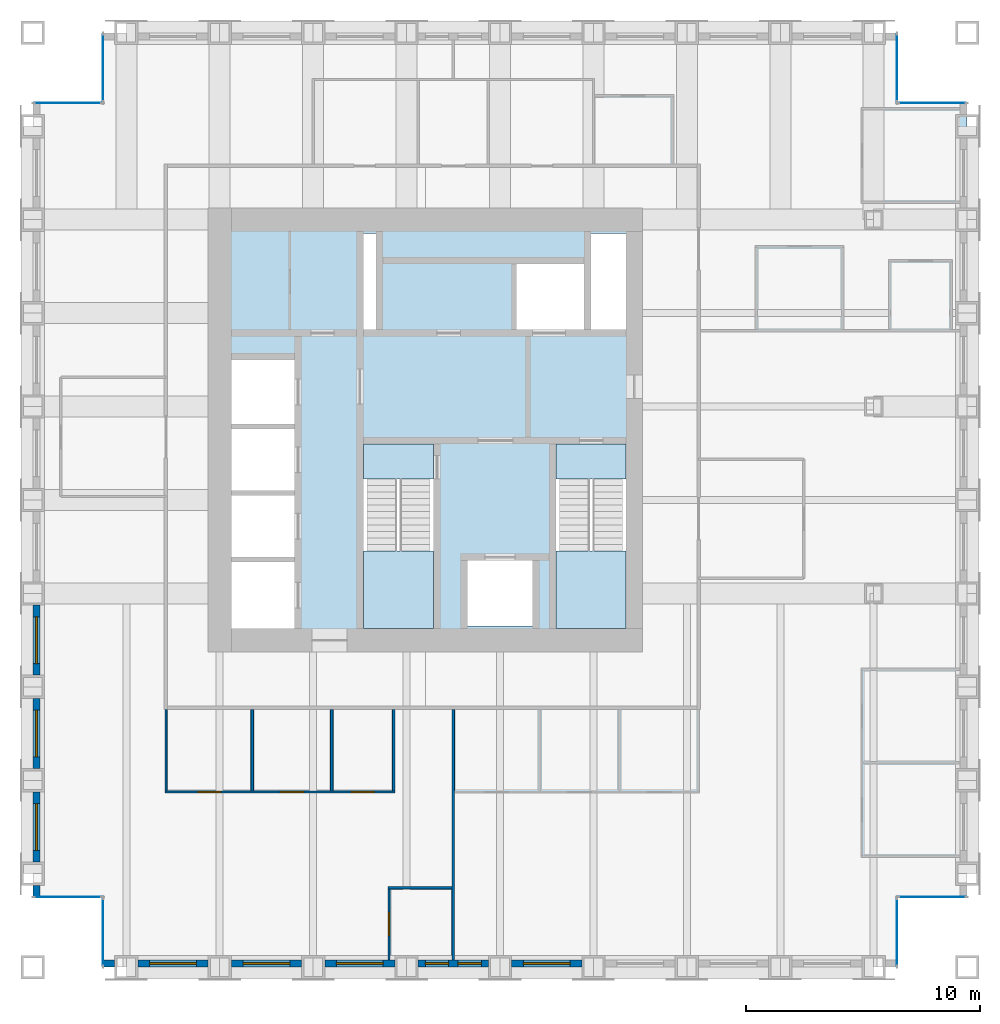
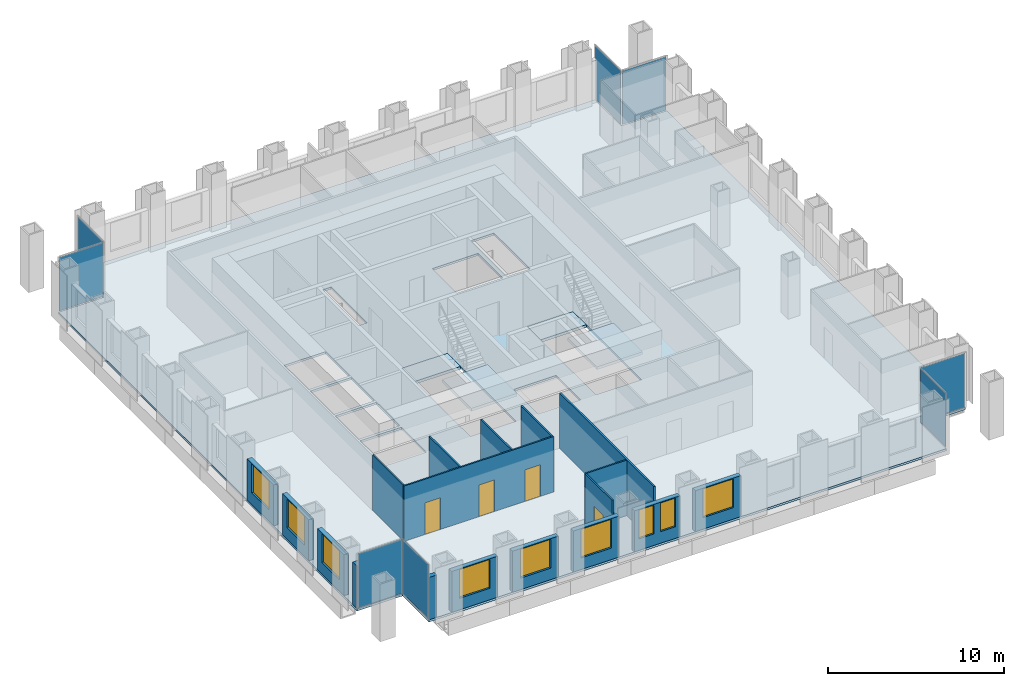
# One storey, part 7 of 13: 18 walls, 9 windows, 8 plates, 5 slabs, 4 doors, 13 openings, 10 elements without a shape of their own.
"""IFC4 building model written with IfcOpenShell, lengths in metres."""

from ifc_helpers import new_model, si_unit, direction, frame, frame_2d, origin, origin_2d, place, context, subcontext, project, spatial, polyline, rectangle, outline, extrude, material, layer, layer_set, type_object, element, fill, aggregate, save


model = new_model("IFC4")

# Units and contexts
model_context = context("Model", 3, precision=1e-05, world=origin(), true_north=direction((0.0, 1.0)))
body_context = subcontext(model_context, "Body", "Model", "MODEL_VIEW")
ifc_project = project(units=[si_unit("LENGTHUNIT", "METRE"), si_unit("AREAUNIT", "SQUARE_METRE"), si_unit("VOLUMEUNIT", "CUBIC_METRE"), si_unit("PLANEANGLEUNIT", "RADIAN"), si_unit("MASSUNIT", "GRAM", prefix="KILO")], contexts=[model_context])

# Site, building, storey
site_placement = place(None, origin())
site = spatial("IfcSite", under=ifc_project, at=site_placement, CompositionType="ELEMENT")
building_placement = place(site_placement, origin())
building = spatial("IfcBuilding", under=site, at=building_placement, Name="Rimbunsela Tower", CompositionType="ELEMENT")
storey_placement = place(building_placement, frame((0.0, 0.0, 262.199951171875)))
storey = spatial("IfcBuildingStorey", under=building, at=storey_placement, Name="L63", CompositionType="ELEMENT", Elevation=262.199951171875)

# Slab
ifc_material_1 = material(Name="Concrete fc' 35 MPa", Category="concrete")
ifc_layer_1 = layer(ifc_material_1, 0.14990234375)
ifc_layer_set_1 = layer_set([ifc_layer_1], Name="Floor slab 150")
slab_type_1 = type_object("IfcSlabType", Name="Floor slab 150", PredefinedType="FLOOR", material=ifc_layer_set_1)
slab_1_placement = place(storey_placement, frame((0.0, 0.0, -0.14990234375)))
element("IfcSlab", 1, at=slab_1_placement, inside=storey, type_object=slab_type_1, Name="Floor slab L63", PredefinedType="FLOOR", context=body_context, shape_type="SweptSolid", body=[
    extrude(outline(polyline([(13.0, 4.0), (47.0, 4.0), (47.0, 7.0), (50.0, 7.0), (50.0, 41.0), (47.0, 41.0), (47.0, 44.0), (13.0, 44.0), (13.0, 41.0), (10.0, 41.0), (10.0, 7.0), (13.0, 7.0), (13.0, 4.0)]), holes=[polyline([(21.199951171875, 21.35009765625), (18.5, 21.35009765625), (18.5, 18.5), (21.199951171875, 18.5), (21.199951171875, 21.35009765625)]), polyline([(21.199951171875, 21.550048828125), (21.199951171875, 24.199951171875), (18.5, 24.199951171875), (18.5, 21.550048828125), (21.199951171875, 21.550048828125)]), polyline([(21.199951171875, 27.050048828125), (18.5, 27.050048828125), (18.5, 24.39990234375), (21.199951171875, 24.39990234375), (21.199951171875, 27.050048828125)]), polyline([(21.199951171875, 30.0), (18.5, 30.0), (18.5, 27.25), (21.199951171875, 27.25), (21.199951171875, 30.0)]), polyline([(27.14990234375, 26.39990234375), (24.14990234375, 26.39990234375), (24.14990234375, 18.60009765625), (27.14990234375, 18.60009765625), (27.14990234375, 26.39990234375)]), polyline([(24.699951171875, 31.300048828125), (24.699951171875, 35.39990234375), (24.14990234375, 35.39990234375), (24.14990234375, 31.300048828125), (24.699951171875, 31.300048828125)]), polyline([(31.39990234375, 21.39990234375), (28.60009765625, 21.39990234375), (28.60009765625, 18.60009765625), (31.39990234375, 18.60009765625), (31.39990234375, 21.39990234375)]), polyline([(33.60009765625, 34.10009765625), (30.60009765625, 34.10009765625), (30.60009765625, 31.300048828125), (33.60009765625, 31.300048828125), (33.60009765625, 34.10009765625)]), polyline([(35.39990234375, 18.60009765625), (35.39990234375, 26.39990234375), (32.39990234375, 26.39990234375), (32.39990234375, 18.60009765625), (35.39990234375, 18.60009765625)]), polyline([(35.39990234375, 31.300048828125), (35.39990234375, 35.39990234375), (33.89990234375, 35.39990234375), (33.89990234375, 31.300048828125), (35.39990234375, 31.300048828125)])]), origin(), (0.0, 0.0, 1.0), 0.14990234375),
])

# Curtain wall, plate
ifc_material_2 = material(Name="Aluminium curtain wall", Category="aluminium")
curtain_wall_type = type_object("IfcCurtainWallType", Name="Corner glazing", PredefinedType="USERDEFINED", material=ifc_material_2)
curtain_wall_1_placement = place(storey_placement, origin())
curtain_wall_1 = element("IfcCurtainWall", 2, at=curtain_wall_1_placement, inside=storey, type_object=curtain_wall_type, Name="Corner glazing L63", ObjectType="CORNER GLAZING", PredefinedType="USERDEFINED")
ifc_material_3 = material(Name="Clear double glazing", Category="glass")
ifc_layer_2 = layer(ifc_material_3, 0.028076171875)
ifc_layer_set_2 = layer_set([ifc_layer_2], Name="Glazed panel clear")
plate_type = type_object("IfcPlateType", Name="Glazed panel clear", PredefinedType="CURTAIN_PANEL", material=ifc_layer_set_2)
plate_1_placement = place(storey_placement, frame((47.0, 5.5, 0.06005859375), z_axis=(0.0, 0.0, 1.0), x_axis=(0.0, 1.0, 0.0)))
plate_1 = element("IfcPlate", 3, at=plate_1_placement, type_object=plate_type, Name="CW5 panel 1.1", PredefinedType="CURTAIN_PANEL", context=body_context, shape_type="SweptSolid", body=[
    extrude(rectangle(XDim=2.8798828125, YDim=0.028076171875, at=origin_2d()), origin(), (0.0, 0.0, 1.0), 3.72998046875),
])
aggregate(curtain_wall_1, [plate_1])

curtain_wall_2_placement = place(storey_placement, origin())
curtain_wall_2 = element("IfcCurtainWall", 4, at=curtain_wall_2_placement, inside=storey, type_object=curtain_wall_type, Name="Corner glazing L63", ObjectType="CORNER GLAZING", PredefinedType="USERDEFINED")
plate_2_placement = place(storey_placement, frame((48.5, 7.0, 0.06005859375), z_axis=(0.0, 0.0, 1.0), x_axis=(1.0, 0.0, 0.0)))
plate_2 = element("IfcPlate", 5, at=plate_2_placement, type_object=plate_type, Name="CW5 panel 1.1", PredefinedType="CURTAIN_PANEL", context=body_context, shape_type="SweptSolid", body=[
    extrude(rectangle(XDim=2.8798828125, YDim=0.028076171875, at=origin_2d()), origin(), (0.0, 0.0, 1.0), 3.72998046875),
])
aggregate(curtain_wall_2, [plate_2])

curtain_wall_3_placement = place(storey_placement, origin())
curtain_wall_3 = element("IfcCurtainWall", 6, at=curtain_wall_3_placement, inside=storey, type_object=curtain_wall_type, Name="Corner glazing L63", ObjectType="CORNER GLAZING", PredefinedType="USERDEFINED")
plate_3_placement = place(storey_placement, frame((48.5, 41.0, 0.06005859375), z_axis=(0.0, 0.0, 1.0), x_axis=(-1.0, 0.0, 0.0)))
plate_3 = element("IfcPlate", 7, at=plate_3_placement, type_object=plate_type, Name="CW5 panel 1.1", PredefinedType="CURTAIN_PANEL", context=body_context, shape_type="SweptSolid", body=[
    extrude(rectangle(XDim=2.8798828125, YDim=0.028076171875, at=origin_2d()), origin(), (0.0, 0.0, 1.0), 3.72998046875),
])
aggregate(curtain_wall_3, [plate_3])

curtain_wall_4_placement = place(storey_placement, origin())
curtain_wall_4 = element("IfcCurtainWall", 8, at=curtain_wall_4_placement, inside=storey, type_object=curtain_wall_type, Name="Corner glazing L63", ObjectType="CORNER GLAZING", PredefinedType="USERDEFINED")
plate_4_placement = place(storey_placement, frame((47.0, 42.5, 0.06005859375), z_axis=(0.0, 0.0, 1.0), x_axis=(0.0, 1.0, 0.0)))
plate_4 = element("IfcPlate", 9, at=plate_4_placement, type_object=plate_type, Name="CW5 panel 1.1", PredefinedType="CURTAIN_PANEL", context=body_context, shape_type="SweptSolid", body=[
    extrude(rectangle(XDim=2.8798828125, YDim=0.028076171875, at=origin_2d()), origin(), (0.0, 0.0, 1.0), 3.72998046875),
])
aggregate(curtain_wall_4, [plate_4])

curtain_wall_5_placement = place(storey_placement, origin())
curtain_wall_5 = element("IfcCurtainWall", 10, at=curtain_wall_5_placement, inside=storey, type_object=curtain_wall_type, Name="Corner glazing L63", ObjectType="CORNER GLAZING", PredefinedType="USERDEFINED")
plate_5_placement = place(storey_placement, frame((13.0, 42.5, 0.06005859375), z_axis=(0.0, 0.0, 1.0), x_axis=(0.0, -1.0, 0.0)))
plate_5 = element("IfcPlate", 11, at=plate_5_placement, type_object=plate_type, Name="CW5 panel 1.1", PredefinedType="CURTAIN_PANEL", context=body_context, shape_type="SweptSolid", body=[
    extrude(rectangle(XDim=2.8798828125, YDim=0.028076171875, at=origin_2d()), origin(), (0.0, 0.0, 1.0), 3.72998046875),
])
aggregate(curtain_wall_5, [plate_5])

curtain_wall_6_placement = place(storey_placement, origin())
curtain_wall_6 = element("IfcCurtainWall", 12, at=curtain_wall_6_placement, inside=storey, type_object=curtain_wall_type, Name="Corner glazing L63", ObjectType="CORNER GLAZING", PredefinedType="USERDEFINED")
plate_6_placement = place(storey_placement, frame((11.5, 41.0, 0.06005859375), z_axis=(0.0, 0.0, 1.0), x_axis=(-1.0, 0.0, 0.0)))
plate_6 = element("IfcPlate", 13, at=plate_6_placement, type_object=plate_type, Name="CW5 panel 1.1", PredefinedType="CURTAIN_PANEL", context=body_context, shape_type="SweptSolid", body=[
    extrude(rectangle(XDim=2.8798828125, YDim=0.028076171875, at=origin_2d()), origin(), (0.0, 0.0, 1.0), 3.72998046875),
])
aggregate(curtain_wall_6, [plate_6])

curtain_wall_7_placement = place(storey_placement, origin())
curtain_wall_7 = element("IfcCurtainWall", 14, at=curtain_wall_7_placement, inside=storey, type_object=curtain_wall_type, Name="Corner glazing L63", ObjectType="CORNER GLAZING", PredefinedType="USERDEFINED")
plate_7_placement = place(storey_placement, frame((11.5, 7.0, 0.06005859375), z_axis=(0.0, 0.0, 1.0), x_axis=(1.0, 0.0, 0.0)))
plate_7 = element("IfcPlate", 15, at=plate_7_placement, type_object=plate_type, Name="CW5 panel 1.1", PredefinedType="CURTAIN_PANEL", context=body_context, shape_type="SweptSolid", body=[
    extrude(rectangle(XDim=2.8798828125, YDim=0.028076171875, at=origin_2d()), origin(), (0.0, 0.0, 1.0), 3.72998046875),
])
aggregate(curtain_wall_7, [plate_7])

curtain_wall_8_placement = place(storey_placement, origin())
curtain_wall_8 = element("IfcCurtainWall", 16, at=curtain_wall_8_placement, inside=storey, type_object=curtain_wall_type, Name="Corner glazing L63", ObjectType="CORNER GLAZING", PredefinedType="USERDEFINED")
plate_8_placement = place(storey_placement, frame((13.0, 5.5, 0.06005859375), z_axis=(0.0, 0.0, 1.0), x_axis=(0.0, -1.0, 0.0)))
plate_8 = element("IfcPlate", 17, at=plate_8_placement, type_object=plate_type, Name="CW5 panel 1.1", PredefinedType="CURTAIN_PANEL", context=body_context, shape_type="SweptSolid", body=[
    extrude(rectangle(XDim=2.8798828125, YDim=0.028076171875, at=origin_2d()), origin(), (0.0, 0.0, 1.0), 3.72998046875),
])
aggregate(curtain_wall_8, [plate_8])

# Stair, slabs
ifc_material_4 = material(Name="Concrete fc' 35 MPa", Category="concrete")
stair_type = type_object("IfcStairType", Name="Exit stair 24 risers", PredefinedType="HALF_TURN_STAIR", material=ifc_material_4)
stair_1_placement = place(storey_placement, origin())
stair_1 = element("IfcStair", 18, at=stair_1_placement, inside=storey, type_object=stair_type, Name="Exit stair A L63", PredefinedType="HALF_TURN_STAIR")
ifc_material_5 = material(Name="Concrete fc' 35 MPa", Category="concrete")
ifc_layer_3 = layer(ifc_material_5, 0.199951171875)
ifc_layer_set_3 = layer_set([ifc_layer_3], Name="Stair landing 200")
slab_type_2 = type_object("IfcSlabType", Name="Stair landing 200", PredefinedType="LANDING", material=ifc_layer_set_3)
slab_2_placement = place(storey_placement, frame((0.0, 0.0, -0.199951171875)))
slab_2 = element("IfcSlab", 19, at=slab_2_placement, type_object=slab_type_2, Name="ST-A landing 1", PredefinedType="LANDING", context=body_context, shape_type="SweptSolid", body=[
    extrude(outline(polyline([(24.14990234375, 24.89990234375), (27.14990234375, 24.89990234375), (27.14990234375, 26.39990234375), (24.14990234375, 26.39990234375), (24.14990234375, 24.89990234375)])), origin(), (0.0, 0.0, 1.0), 0.199951171875),
])
slab_3_placement = place(storey_placement, frame((0.0, 0.0, 1.800048828125)))
slab_3 = element("IfcSlab", 20, at=slab_3_placement, type_object=slab_type_2, Name="ST-A landing 2", PredefinedType="LANDING", context=body_context, shape_type="SweptSolid", body=[
    extrude(outline(polyline([(24.14990234375, 18.5), (27.14990234375, 18.5), (27.14990234375, 21.820068359375), (24.14990234375, 21.820068359375), (24.14990234375, 18.5)])), origin(), (0.0, 0.0, 1.0), 0.199951171875),
])
aggregate(stair_1, [slab_2, slab_3])

stair_2_placement = place(storey_placement, origin())
stair_2 = element("IfcStair", 21, at=stair_2_placement, inside=storey, type_object=stair_type, Name="Exit stair B L63", PredefinedType="HALF_TURN_STAIR")
slab_4_placement = place(storey_placement, frame((0.0, 0.0, -0.199951171875)))
slab_4 = element("IfcSlab", 22, at=slab_4_placement, type_object=slab_type_2, Name="ST-B landing 1", PredefinedType="LANDING", context=body_context, shape_type="SweptSolid", body=[
    extrude(outline(polyline([(32.39990234375, 24.89990234375), (35.39990234375, 24.89990234375), (35.39990234375, 26.39990234375), (32.39990234375, 26.39990234375), (32.39990234375, 24.89990234375)])), origin(), (0.0, 0.0, 1.0), 0.199951171875),
])
slab_5_placement = place(storey_placement, frame((0.0, 0.0, 1.800048828125)))
slab_5 = element("IfcSlab", 23, at=slab_5_placement, type_object=slab_type_2, Name="ST-B landing 2", PredefinedType="LANDING", context=body_context, shape_type="SweptSolid", body=[
    extrude(outline(polyline([(32.39990234375, 18.5), (35.39990234375, 18.5), (35.39990234375, 21.820068359375), (32.39990234375, 21.820068359375), (32.39990234375, 18.5)])), origin(), (0.0, 0.0, 1.0), 0.199951171875),
])
aggregate(stair_2, [slab_4, slab_5])

# Wall
ifc_material_6 = material(Name="Gypsum board on steel studs", Category="steel")
ifc_layer_4 = layer(ifc_material_6, 0.10009765625)
ifc_layer_set_4 = layer_set([ifc_layer_4], Name="Office partition 100")
wall_type_1 = type_object("IfcWallType", Name="Office partition 100", PredefinedType="PARTITIONING", material=ifc_layer_set_4)
wall_1_placement = place(storey_placement, frame((25.199951171875, 7.39990234375, 0.0), z_axis=(0.0, 0.0, 1.0), x_axis=(1.0, 0.0, 0.0)))
element("IfcWall", 24, at=wall_1_placement, inside=storey, type_object=wall_type_1, Name="Office partition", PredefinedType="PARTITIONING", context=body_context, shape_type="SweptSolid", body=[
    extrude(rectangle(XDim=2.739990234375, YDim=0.10009765625, at=frame_2d((1.3701171875, 0.0))), origin(), (0.0, 0.0, 1.0), 3.85009765625),
])

# Wall, openings, doors
wall_2_placement = place(storey_placement, frame((15.64990234375, 11.5, 0.0), z_axis=(0.0, 0.0, 1.0), x_axis=(1.0, 0.0, 0.0)))
wall_2 = element("IfcWall", 25, at=wall_2_placement, inside=storey, type_object=wall_type_1, Name="Office partition", PredefinedType="PARTITIONING", context=body_context, shape_type="SweptSolid", body=[
    extrude(rectangle(XDim=9.85009765625, YDim=0.10009765625, at=frame_2d((4.925048828125, 0.0))), origin(), (0.0, 0.0, 1.0), 3.85009765625),
])
opening_1_placement = place(wall_2_placement, frame((1.39990234375, 0.0, 0.0)))
opening_1 = element("IfcOpeningElement", 26, at=opening_1_placement, cuts=wall_2, Name="Opening D17", PredefinedType="OPENING", context=body_context, shape_type="SweptSolid", body=[
    extrude(rectangle(XDim=1.0, YDim=2.199951171875, at=frame_2d((0.5, 1.10009765625))), frame((0.0, 0.06005859375, 0.0), z_axis=(0.0, -1.0, 0.0), x_axis=(1.0, 0.0, 0.0)), (0.0, 0.0, 1.0), 0.1201171875),
])
opening_2_placement = place(wall_2_placement, frame((4.949951171875, 0.0, 0.0)))
opening_2 = element("IfcOpeningElement", 27, at=opening_2_placement, cuts=wall_2, Name="Opening D16", PredefinedType="OPENING", context=body_context, shape_type="SweptSolid", body=[
    extrude(rectangle(XDim=1.0, YDim=2.199951171875, at=frame_2d((0.5, 1.10009765625))), frame((0.0, 0.06005859375, 0.0), z_axis=(0.0, -1.0, 0.0), x_axis=(1.0, 0.0, 0.0)), (0.0, 0.0, 1.0), 0.1201171875),
])
opening_3_placement = place(wall_2_placement, frame((7.97509765625, 0.0, 0.0)))
opening_3 = element("IfcOpeningElement", 28, at=opening_3_placement, cuts=wall_2, Name="Opening D16", PredefinedType="OPENING", context=body_context, shape_type="SweptSolid", body=[
    extrude(rectangle(XDim=1.0, YDim=2.199951171875, at=frame_2d((0.5, 1.10009765625))), frame((0.0, 0.06005859375, 0.0), z_axis=(0.0, -1.0, 0.0), x_axis=(1.0, 0.0, 0.0)), (0.0, 0.0, 1.0), 0.1201171875),
])
ifc_material_7 = material(Name="Glazed aluminium door", Category="aluminium")
door_type_1 = type_object("IfcDoorType", Name="Meeting room door 1000 glazed", OperationType="SINGLE_SWING_RIGHT", PredefinedType="DOOR", material=ifc_material_7)
door_1_placement = place(opening_1_placement, origin())
door_1 = element("IfcDoor", 29, at=door_1_placement, inside=storey, type_object=door_type_1, Name="Meeting room door", OperationType="SINGLE_SWING_RIGHT", OverallHeight=2.199951171875, OverallWidth=1.0, PredefinedType="DOOR", context=body_context, shape_type="SweptSolid", body=[
    extrude(rectangle(XDim=1.0, YDim=2.199951171875, at=frame_2d((0.5, 1.10009765625))), frame((0.0, 0.02490234375, 0.0), z_axis=(0.0, -1.0, 0.0), x_axis=(1.0, 0.0, 0.0)), (0.0, 0.0, 1.0), 0.050048828125),
])
fill(opening_1, door_1)
ifc_material_8 = material(Name="Timber door", Category="wood")
door_type_2 = type_object("IfcDoorType", Name="Office door 1000", OperationType="SINGLE_SWING_LEFT", PredefinedType="DOOR", material=ifc_material_8)
door_2_placement = place(opening_2_placement, origin())
door_2 = element("IfcDoor", 30, at=door_2_placement, inside=storey, type_object=door_type_2, Name="Office door", OperationType="SINGLE_SWING_LEFT", OverallHeight=2.199951171875, OverallWidth=1.0, PredefinedType="DOOR", context=body_context, shape_type="SweptSolid", body=[
    extrude(rectangle(XDim=1.0, YDim=2.199951171875, at=frame_2d((0.5, 1.10009765625))), frame((0.0, 0.02490234375, 0.0), z_axis=(0.0, -1.0, 0.0), x_axis=(1.0, 0.0, 0.0)), (0.0, 0.0, 1.0), 0.050048828125),
])
fill(opening_2, door_2)
door_3_placement = place(opening_3_placement, origin())
door_3 = element("IfcDoor", 31, at=door_3_placement, inside=storey, type_object=door_type_2, Name="Office door", OperationType="SINGLE_SWING_LEFT", OverallHeight=2.199951171875, OverallWidth=1.0, PredefinedType="DOOR", context=body_context, shape_type="SweptSolid", body=[
    extrude(rectangle(XDim=1.0, YDim=2.199951171875, at=frame_2d((0.5, 1.10009765625))), frame((0.0, 0.02490234375, 0.0), z_axis=(0.0, -1.0, 0.0), x_axis=(1.0, 0.0, 0.0)), (0.0, 0.0, 1.0), 0.050048828125),
])
fill(opening_3, door_3)

# Walls
for number, where, z_axis, x_axis, name in (
    (32, (15.699951171875, 11.550048828125, 0.0), (0.0, 0.0, 1.0), (0.0, 1.0, 0.0), "Office partition"),
    (33, (19.39990234375, 11.550048828125, 0.0), (0.0, 0.0, 1.0), (0.0, 1.0, 0.0), "Office partition"),
    (34, (22.800048828125, 11.550048828125, 0.0), (0.0, 0.0, 1.0), (0.0, 1.0, 0.0), "Office partition"),
):
    element("IfcWall", number, at=place(storey_placement, frame(where, z_axis=z_axis, x_axis=x_axis)), inside=storey, type_object=wall_type_1, Name=name, PredefinedType="PARTITIONING", context=body_context, shape_type="SweptSolid", body=[
        extrude(rectangle(XDim=3.474853515625, YDim=0.10009765625, at=frame_2d((1.7373046875, 0.0))), origin(), (0.0, 0.0, 1.0), 3.85009765625),
    ])

# Wall, opening, door
wall_3_placement = place(storey_placement, frame((25.25, 4.300048828125, 0.0), z_axis=(0.0, 0.0, 1.0), x_axis=(0.0, 1.0, 0.0)))
wall_3 = element("IfcWall", 35, at=wall_3_placement, inside=storey, type_object=wall_type_1, Name="Office partition", PredefinedType="PARTITIONING", context=body_context, shape_type="SweptSolid", body=[
    extrude(rectangle(XDim=3.050048828125, YDim=0.10009765625, at=frame_2d((1.52490234375, 0.0))), origin(), (0.0, 0.0, 1.0), 3.85009765625),
])
opening_4_placement = place(wall_3_placement, frame((1.050048828125, 0.0, 0.0)))
opening_4 = element("IfcOpeningElement", 36, at=opening_4_placement, cuts=wall_3, Name="Opening D16", PredefinedType="OPENING", context=body_context, shape_type="SweptSolid", body=[
    extrude(rectangle(XDim=1.0, YDim=2.199951171875, at=frame_2d((0.5, 1.10009765625))), frame((0.0, 0.06005859375, 0.0), z_axis=(0.0, -1.0, 0.0), x_axis=(1.0, 0.0, 0.0)), (0.0, 0.0, 1.0), 0.1201171875),
])
door_4_placement = place(opening_4_placement, origin())
door_4 = element("IfcDoor", 37, at=door_4_placement, inside=storey, type_object=door_type_2, Name="Office door", OperationType="SINGLE_SWING_LEFT", OverallHeight=2.199951171875, OverallWidth=1.0, PredefinedType="DOOR", context=body_context, shape_type="SweptSolid", body=[
    extrude(rectangle(XDim=1.0, YDim=2.199951171875, at=frame_2d((0.5, 1.10009765625))), frame((0.0, 0.02490234375, 0.0), z_axis=(0.0, -1.0, 0.0), x_axis=(1.0, 0.0, 0.0)), (0.0, 0.0, 1.0), 0.050048828125),
])
fill(opening_4, door_4)

# Walls
wall_4_placement = place(storey_placement, frame((25.449951171875, 11.550048828125, 0.0), z_axis=(0.0, 0.0, 1.0), x_axis=(0.0, 1.0, 0.0)))
element("IfcWall", 38, at=wall_4_placement, inside=storey, type_object=wall_type_1, Name="Office partition", PredefinedType="PARTITIONING", context=body_context, shape_type="SweptSolid", body=[
    extrude(rectangle(XDim=3.474853515625, YDim=0.10009765625, at=frame_2d((1.7373046875, 0.0))), origin(), (0.0, 0.0, 1.0), 3.85009765625),
])
ifc_material_9 = material(Name="Precast concrete fc' 35 MPa", Category="concrete")
ifc_layer_5 = layer(ifc_material_9, 0.300048828125)
ifc_layer_set_5 = layer_set([ifc_layer_5], Name="Precast concrete fc' 35 MPa")
wall_type_2 = type_object("IfcWallType", Name="Precast facade panel 300", PredefinedType="ELEMENTEDWALL", material=ifc_layer_set_5)
wall_5_placement = place(storey_placement, frame((13.030029296875, 4.14990234375, 0.0), z_axis=(0.0, 0.0, 1.0), x_axis=(1.0, 0.0, 0.0)))
element("IfcWall", 39, at=wall_5_placement, inside=storey, type_object=wall_type_2, Name="Facade panel S L63", PredefinedType="ELEMENTEDWALL", context=body_context, shape_type="SweptSolid", body=[
    extrude(rectangle(XDim=0.469970703125, YDim=0.300048828125, at=frame_2d((0.23486328125, 0.0))), origin(), (0.0, 0.0, 1.0), 2.949951171875),
])

# Wall, opening, window
wall_6_placement = place(storey_placement, frame((14.5, 4.14990234375, 0.0), z_axis=(0.0, 0.0, 1.0), x_axis=(1.0, 0.0, 0.0)))
wall_6 = element("IfcWall", 40, at=wall_6_placement, inside=storey, type_object=wall_type_2, Name="Facade panel S L63", PredefinedType="ELEMENTEDWALL", context=body_context, shape_type="SweptSolid", body=[
    extrude(rectangle(XDim=3.0, YDim=0.300048828125, at=frame_2d((1.5, 0.0))), origin(), (0.0, 0.0, 1.0), 2.85009765625),
])
opening_5_placement = place(wall_6_placement, frame((0.5, 0.0, 0.800048828125)))
opening_5 = element("IfcOpeningElement", 41, at=opening_5_placement, cuts=wall_6, Name="Opening W1", PredefinedType="OPENING", context=body_context, shape_type="SweptSolid", body=[
    extrude(rectangle(XDim=2.0, YDim=2.0, at=frame_2d((1.0, 1.0))), frame((0.0, 0.159912109375, 0.0), z_axis=(0.0, -1.0, 0.0), x_axis=(1.0, 0.0, 0.0)), (0.0, 0.0, 1.0), 0.320068359375),
])
ifc_material_10 = material(Name="Clear glass in aluminium frame", Category="aluminium")
window_type_1 = type_object("IfcWindowType", Name="Window W1 2000x2000", PartitioningType="DOUBLE_PANEL_VERTICAL", PredefinedType="WINDOW", material=ifc_material_10)
window_1_placement = place(opening_5_placement, origin())
window_1 = element("IfcWindow", 42, at=window_1_placement, inside=storey, type_object=window_type_1, Name="Window L63", OverallHeight=2.0, OverallWidth=2.0, PartitioningType="SINGLE_PANEL", PredefinedType="WINDOW", context=body_context, shape_type="SweptSolid", body=[
    extrude(rectangle(XDim=2.0, YDim=2.0, at=frame_2d((1.0, 1.0))), frame((0.0, 0.030029296875, 0.0), z_axis=(0.0, -1.0, 0.0), x_axis=(1.0, 0.0, 0.0)), (0.0, 0.0, 1.0), 0.06005859375),
])
fill(opening_5, window_1)

wall_7_placement = place(storey_placement, frame((18.5, 4.14990234375, 0.0), z_axis=(0.0, 0.0, 1.0), x_axis=(1.0, 0.0, 0.0)))
wall_7 = element("IfcWall", 43, at=wall_7_placement, inside=storey, type_object=wall_type_2, Name="Facade panel S L63", PredefinedType="ELEMENTEDWALL", context=body_context, shape_type="SweptSolid", body=[
    extrude(rectangle(XDim=3.0, YDim=0.300048828125, at=frame_2d((1.5, 0.0))), origin(), (0.0, 0.0, 1.0), 2.85009765625),
])
opening_6_placement = place(wall_7_placement, frame((0.5, 0.0, 0.800048828125)))
opening_6 = element("IfcOpeningElement", 44, at=opening_6_placement, cuts=wall_7, Name="Opening W1", PredefinedType="OPENING", context=body_context, shape_type="SweptSolid", body=[
    extrude(rectangle(XDim=2.0, YDim=2.0, at=frame_2d((1.0, 1.0))), frame((0.0, 0.159912109375, 0.0), z_axis=(0.0, -1.0, 0.0), x_axis=(1.0, 0.0, 0.0)), (0.0, 0.0, 1.0), 0.320068359375),
])
window_2_placement = place(opening_6_placement, origin())
window_2 = element("IfcWindow", 45, at=window_2_placement, inside=storey, type_object=window_type_1, Name="Window L63", OverallHeight=2.0, OverallWidth=2.0, PartitioningType="SINGLE_PANEL", PredefinedType="WINDOW", context=body_context, shape_type="SweptSolid", body=[
    extrude(rectangle(XDim=2.0, YDim=2.0, at=frame_2d((1.0, 1.0))), frame((0.0, 0.030029296875, 0.0), z_axis=(0.0, -1.0, 0.0), x_axis=(1.0, 0.0, 0.0)), (0.0, 0.0, 1.0), 0.06005859375),
])
fill(opening_6, window_2)

wall_8_placement = place(storey_placement, frame((22.5, 4.14990234375, 0.0), z_axis=(0.0, 0.0, 1.0), x_axis=(1.0, 0.0, 0.0)))
wall_8 = element("IfcWall", 46, at=wall_8_placement, inside=storey, type_object=wall_type_2, Name="Facade panel S L63", PredefinedType="ELEMENTEDWALL", context=body_context, shape_type="SweptSolid", body=[
    extrude(rectangle(XDim=3.0, YDim=0.300048828125, at=frame_2d((1.5, 0.0))), origin(), (0.0, 0.0, 1.0), 2.85009765625),
])
opening_7_placement = place(wall_8_placement, frame((0.5, 0.0, 0.800048828125)))
opening_7 = element("IfcOpeningElement", 47, at=opening_7_placement, cuts=wall_8, Name="Opening W1", PredefinedType="OPENING", context=body_context, shape_type="SweptSolid", body=[
    extrude(rectangle(XDim=2.0, YDim=2.0, at=frame_2d((1.0, 1.0))), frame((0.0, 0.159912109375, 0.0), z_axis=(0.0, -1.0, 0.0), x_axis=(1.0, 0.0, 0.0)), (0.0, 0.0, 1.0), 0.320068359375),
])
window_3_placement = place(opening_7_placement, origin())
window_3 = element("IfcWindow", 48, at=window_3_placement, inside=storey, type_object=window_type_1, Name="Window L63", OverallHeight=2.0, OverallWidth=2.0, PartitioningType="SINGLE_PANEL", PredefinedType="WINDOW", context=body_context, shape_type="SweptSolid", body=[
    extrude(rectangle(XDim=2.0, YDim=2.0, at=frame_2d((1.0, 1.0))), frame((0.0, 0.030029296875, 0.0), z_axis=(0.0, -1.0, 0.0), x_axis=(1.0, 0.0, 0.0)), (0.0, 0.0, 1.0), 0.06005859375),
])
fill(opening_7, window_3)

# Wall, openings, windows
wall_9_placement = place(storey_placement, frame((26.5, 4.14990234375, 0.0), z_axis=(0.0, 0.0, 1.0), x_axis=(1.0, 0.0, 0.0)))
wall_9 = element("IfcWall", 49, at=wall_9_placement, inside=storey, type_object=wall_type_2, Name="Facade panel S L63", PredefinedType="ELEMENTEDWALL", context=body_context, shape_type="SweptSolid", body=[
    extrude(rectangle(XDim=3.0, YDim=0.300048828125, at=frame_2d((1.5, 0.0))), origin(), (0.0, 0.0, 1.0), 2.85009765625),
])
opening_8_placement = place(wall_9_placement, frame((0.300048828125, 0.0, 0.800048828125)))
opening_8 = element("IfcOpeningElement", 50, at=opening_8_placement, cuts=wall_9, Name="Opening W5", PredefinedType="OPENING", context=body_context, shape_type="SweptSolid", body=[
    extrude(rectangle(XDim=1.0, YDim=2.0, at=frame_2d((0.5, 1.0))), frame((0.0, 0.159912109375, 0.0), z_axis=(0.0, -1.0, 0.0), x_axis=(1.0, 0.0, 0.0)), (0.0, 0.0, 1.0), 0.320068359375),
])
opening_9_placement = place(wall_9_placement, frame((1.699951171875, 0.0, 0.800048828125)))
opening_9 = element("IfcOpeningElement", 51, at=opening_9_placement, cuts=wall_9, Name="Opening W5", PredefinedType="OPENING", context=body_context, shape_type="SweptSolid", body=[
    extrude(rectangle(XDim=1.0, YDim=2.0, at=frame_2d((0.5, 1.0))), frame((0.0, 0.159912109375, 0.0), z_axis=(0.0, -1.0, 0.0), x_axis=(1.0, 0.0, 0.0)), (0.0, 0.0, 1.0), 0.320068359375),
])
ifc_material_11 = material(Name="Clear glass in aluminium frame", Category="aluminium")
window_type_2 = type_object("IfcWindowType", Name="Window W5 1000x2000", PartitioningType="SINGLE_PANEL", PredefinedType="WINDOW", material=ifc_material_11)
window_4_placement = place(opening_8_placement, origin())
window_4 = element("IfcWindow", 52, at=window_4_placement, inside=storey, type_object=window_type_2, Name="Window L63", OverallHeight=2.0, OverallWidth=1.0, PartitioningType="SINGLE_PANEL", PredefinedType="WINDOW", context=body_context, shape_type="SweptSolid", body=[
    extrude(rectangle(XDim=1.0, YDim=2.0, at=frame_2d((0.5, 1.0))), frame((0.0, 0.030029296875, 0.0), z_axis=(0.0, -1.0, 0.0), x_axis=(1.0, 0.0, 0.0)), (0.0, 0.0, 1.0), 0.06005859375),
])
fill(opening_8, window_4)
window_5_placement = place(opening_9_placement, origin())
window_5 = element("IfcWindow", 53, at=window_5_placement, inside=storey, type_object=window_type_2, Name="Window L63", OverallHeight=2.0, OverallWidth=1.0, PartitioningType="SINGLE_PANEL", PredefinedType="WINDOW", context=body_context, shape_type="SweptSolid", body=[
    extrude(rectangle(XDim=1.0, YDim=2.0, at=frame_2d((0.5, 1.0))), frame((0.0, 0.030029296875, 0.0), z_axis=(0.0, -1.0, 0.0), x_axis=(1.0, 0.0, 0.0)), (0.0, 0.0, 1.0), 0.06005859375),
])
fill(opening_9, window_5)

# Wall, opening, window
wall_10_placement = place(storey_placement, frame((30.5, 4.14990234375, 0.0), z_axis=(0.0, 0.0, 1.0), x_axis=(1.0, 0.0, 0.0)))
wall_10 = element("IfcWall", 54, at=wall_10_placement, inside=storey, type_object=wall_type_2, Name="Facade panel S L63", PredefinedType="ELEMENTEDWALL", context=body_context, shape_type="SweptSolid", body=[
    extrude(rectangle(XDim=3.0, YDim=0.300048828125, at=frame_2d((1.5, 0.0))), origin(), (0.0, 0.0, 1.0), 2.85009765625),
])
opening_10_placement = place(wall_10_placement, frame((0.5, 0.0, 0.800048828125)))
opening_10 = element("IfcOpeningElement", 55, at=opening_10_placement, cuts=wall_10, Name="Opening W1", PredefinedType="OPENING", context=body_context, shape_type="SweptSolid", body=[
    extrude(rectangle(XDim=2.0, YDim=2.0, at=frame_2d((1.0, 1.0))), frame((0.0, 0.159912109375, 0.0), z_axis=(0.0, -1.0, 0.0), x_axis=(1.0, 0.0, 0.0)), (0.0, 0.0, 1.0), 0.320068359375),
])
window_6_placement = place(opening_10_placement, origin())
window_6 = element("IfcWindow", 56, at=window_6_placement, inside=storey, type_object=window_type_1, Name="Window L63", OverallHeight=2.0, OverallWidth=2.0, PartitioningType="SINGLE_PANEL", PredefinedType="WINDOW", context=body_context, shape_type="SweptSolid", body=[
    extrude(rectangle(XDim=2.0, YDim=2.0, at=frame_2d((1.0, 1.0))), frame((0.0, 0.030029296875, 0.0), z_axis=(0.0, -1.0, 0.0), x_axis=(1.0, 0.0, 0.0)), (0.0, 0.0, 1.0), 0.06005859375),
])
fill(opening_10, window_6)

# Wall
wall_11_placement = place(storey_placement, frame((10.14990234375, 7.5, 0.0), z_axis=(0.0, 0.0, 1.0), x_axis=(0.0, -1.0, 0.0)))
element("IfcWall", 57, at=wall_11_placement, inside=storey, type_object=wall_type_2, Name="Facade panel W L63", PredefinedType="ELEMENTEDWALL", context=body_context, shape_type="SweptSolid", body=[
    extrude(rectangle(XDim=0.469970703125, YDim=0.300048828125, at=frame_2d((0.23486328125, 0.0))), origin(), (0.0, 0.0, 1.0), 2.949951171875),
])

# Wall, opening, window
wall_12_placement = place(storey_placement, frame((10.14990234375, 11.5, 0.0), z_axis=(0.0, 0.0, 1.0), x_axis=(0.0, -1.0, 0.0)))
wall_12 = element("IfcWall", 58, at=wall_12_placement, inside=storey, type_object=wall_type_2, Name="Facade panel W L63", PredefinedType="ELEMENTEDWALL", context=body_context, shape_type="SweptSolid", body=[
    extrude(rectangle(XDim=3.0, YDim=0.300048828125, at=frame_2d((1.5, 0.0))), origin(), (0.0, 0.0, 1.0), 2.85009765625),
])
opening_11_placement = place(wall_12_placement, frame((0.5, 0.0, 0.800048828125)))
opening_11 = element("IfcOpeningElement", 59, at=opening_11_placement, cuts=wall_12, Name="Opening W1", PredefinedType="OPENING", context=body_context, shape_type="SweptSolid", body=[
    extrude(rectangle(XDim=2.0, YDim=2.0, at=frame_2d((1.0, 1.0))), frame((0.0, 0.159912109375, 0.0), z_axis=(0.0, -1.0, 0.0), x_axis=(1.0, 0.0, 0.0)), (0.0, 0.0, 1.0), 0.320068359375),
])
window_7_placement = place(opening_11_placement, origin())
window_7 = element("IfcWindow", 60, at=window_7_placement, inside=storey, type_object=window_type_1, Name="Window L63", OverallHeight=2.0, OverallWidth=2.0, PartitioningType="SINGLE_PANEL", PredefinedType="WINDOW", context=body_context, shape_type="SweptSolid", body=[
    extrude(rectangle(XDim=2.0, YDim=2.0, at=frame_2d((1.0, 1.0))), frame((0.0, 0.030029296875, 0.0), z_axis=(0.0, -1.0, 0.0), x_axis=(1.0, 0.0, 0.0)), (0.0, 0.0, 1.0), 0.06005859375),
])
fill(opening_11, window_7)

wall_13_placement = place(storey_placement, frame((10.14990234375, 15.5, 0.0), z_axis=(0.0, 0.0, 1.0), x_axis=(0.0, -1.0, 0.0)))
wall_13 = element("IfcWall", 61, at=wall_13_placement, inside=storey, type_object=wall_type_2, Name="Facade panel W L63", PredefinedType="ELEMENTEDWALL", context=body_context, shape_type="SweptSolid", body=[
    extrude(rectangle(XDim=3.0, YDim=0.300048828125, at=frame_2d((1.5, 0.0))), origin(), (0.0, 0.0, 1.0), 2.85009765625),
])
opening_12_placement = place(wall_13_placement, frame((0.5, 0.0, 0.800048828125)))
opening_12 = element("IfcOpeningElement", 62, at=opening_12_placement, cuts=wall_13, Name="Opening W1", PredefinedType="OPENING", context=body_context, shape_type="SweptSolid", body=[
    extrude(rectangle(XDim=2.0, YDim=2.0, at=frame_2d((1.0, 1.0))), frame((0.0, 0.159912109375, 0.0), z_axis=(0.0, -1.0, 0.0), x_axis=(1.0, 0.0, 0.0)), (0.0, 0.0, 1.0), 0.320068359375),
])
window_8_placement = place(opening_12_placement, origin())
window_8 = element("IfcWindow", 63, at=window_8_placement, inside=storey, type_object=window_type_1, Name="Window L63", OverallHeight=2.0, OverallWidth=2.0, PartitioningType="SINGLE_PANEL", PredefinedType="WINDOW", context=body_context, shape_type="SweptSolid", body=[
    extrude(rectangle(XDim=2.0, YDim=2.0, at=frame_2d((1.0, 1.0))), frame((0.0, 0.030029296875, 0.0), z_axis=(0.0, -1.0, 0.0), x_axis=(1.0, 0.0, 0.0)), (0.0, 0.0, 1.0), 0.06005859375),
])
fill(opening_12, window_8)

wall_14_placement = place(storey_placement, frame((10.14990234375, 19.5, 0.0), z_axis=(0.0, 0.0, 1.0), x_axis=(0.0, -1.0, 0.0)))
wall_14 = element("IfcWall", 64, at=wall_14_placement, inside=storey, type_object=wall_type_2, Name="Facade panel W L63", PredefinedType="ELEMENTEDWALL", context=body_context, shape_type="SweptSolid", body=[
    extrude(rectangle(XDim=3.0, YDim=0.300048828125, at=frame_2d((1.5, 0.0))), origin(), (0.0, 0.0, 1.0), 2.85009765625),
])
opening_13_placement = place(wall_14_placement, frame((0.5, 0.0, 0.800048828125)))
opening_13 = element("IfcOpeningElement", 65, at=opening_13_placement, cuts=wall_14, Name="Opening W1", PredefinedType="OPENING", context=body_context, shape_type="SweptSolid", body=[
    extrude(rectangle(XDim=2.0, YDim=2.0, at=frame_2d((1.0, 1.0))), frame((0.0, 0.159912109375, 0.0), z_axis=(0.0, -1.0, 0.0), x_axis=(1.0, 0.0, 0.0)), (0.0, 0.0, 1.0), 0.320068359375),
])
window_9_placement = place(opening_13_placement, origin())
window_9 = element("IfcWindow", 66, at=window_9_placement, inside=storey, type_object=window_type_1, Name="Window L63", OverallHeight=2.0, OverallWidth=2.0, PartitioningType="SINGLE_PANEL", PredefinedType="WINDOW", context=body_context, shape_type="SweptSolid", body=[
    extrude(rectangle(XDim=2.0, YDim=2.0, at=frame_2d((1.0, 1.0))), frame((0.0, 0.030029296875, 0.0), z_axis=(0.0, -1.0, 0.0), x_axis=(1.0, 0.0, 0.0)), (0.0, 0.0, 1.0), 0.06005859375),
])
fill(opening_13, window_9)

# Wall
ifc_material_12 = material(Name="Gypsum board on steel studs", Category="steel")
ifc_layer_6 = layer(ifc_material_12, 0.1201171875)
ifc_layer_set_6 = layer_set([ifc_layer_6], Name="Tenancy partition 120")
wall_type_3 = type_object("IfcWallType", Name="Tenancy partition 120", PredefinedType="PARTITIONING", material=ifc_layer_set_6)
wall_15_placement = place(storey_placement, frame((28.0, 4.300048828125, 0.0), z_axis=(0.0, 0.0, 1.0), x_axis=(0.0, 1.0, 0.0)))
element("IfcWall", 67, at=wall_15_placement, inside=storey, type_object=wall_type_3, Name="Tenancy partition south", PredefinedType="PARTITIONING", context=body_context, shape_type="SweptSolid", body=[
    extrude(rectangle(XDim=10.724853515625, YDim=0.1201171875, at=frame_2d((5.3623046875, 0.0))), origin(), (0.0, 0.0, 1.0), 3.85009765625),
])

save(model, "model.ifc")
